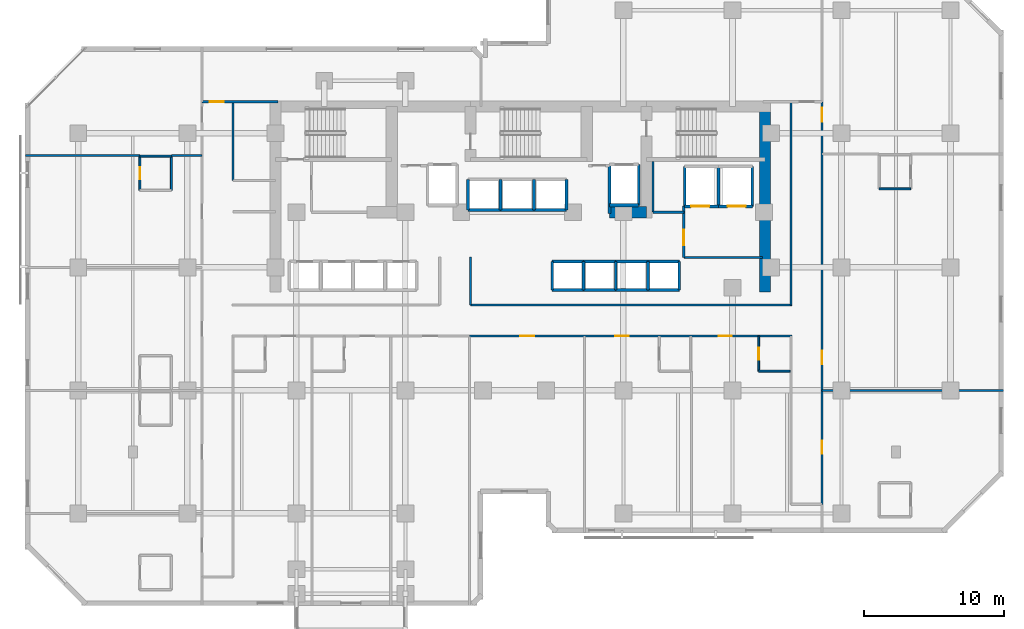
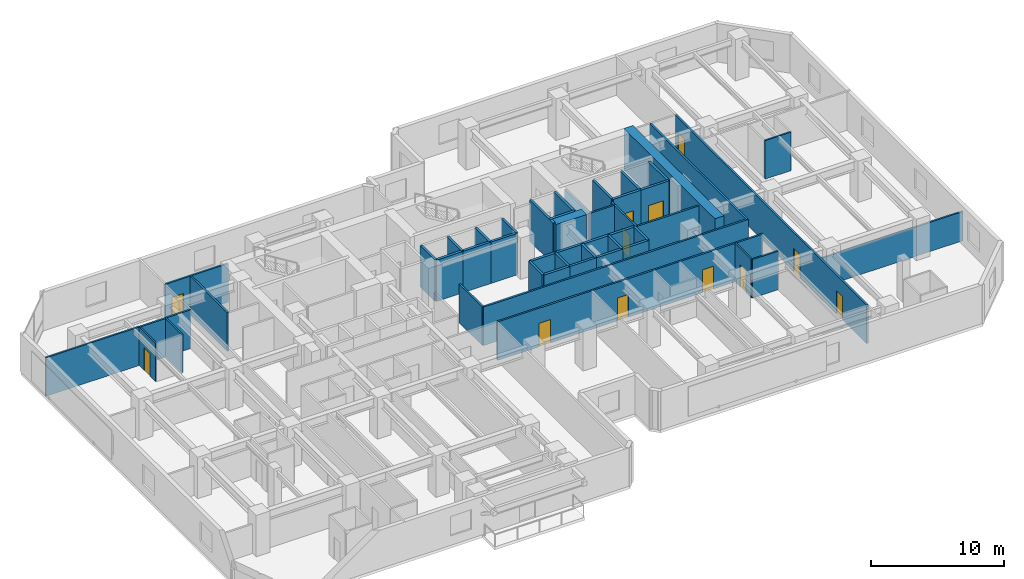
# One storey, part 8 of 12: 50 walls, 12 doors, 12 openings.
"""IFC4 building model written with IfcOpenShell, lengths in metres."""

from ifc_helpers import new_model, si_unit, direction, frame, frame_2d, origin, place, context, subcontext, project, spatial, rectangle, extrude, material, layer, layer_set, type_object, element, fill, save


model = new_model("IFC4")

# Units and contexts
model_context = context("Model", 3, precision=1e-05, world=origin(), true_north=direction((0.0, 1.0)))
body_context = subcontext(model_context, "Body", "Model", "MODEL_VIEW")
ifc_project = project(units=[si_unit("LENGTHUNIT", "METRE"), si_unit("AREAUNIT", "SQUARE_METRE"), si_unit("VOLUMEUNIT", "CUBIC_METRE"), si_unit("PLANEANGLEUNIT", "RADIAN"), si_unit("MASSUNIT", "GRAM", prefix="KILO")], contexts=[model_context])

# Site, building, storey
site_placement = place(None, origin())
site = spatial("IfcSite", under=ifc_project, at=site_placement, CompositionType="ELEMENT")
building_placement = place(site_placement, origin())
building = spatial("IfcBuilding", under=site, at=building_placement, Name="Kestravale Grand Hotel", CompositionType="ELEMENT")
storey_placement = place(building_placement, frame((0.0, 0.0, 95.60009765625)))
storey = spatial("IfcBuildingStorey", under=building, at=storey_placement, Name="L23", CompositionType="ELEMENT", Elevation=95.60009765625)

# Walls
ifc_material_1 = material(Name="Concrete f'c 60 MPa", Category="concrete")
ifc_layer_1 = layer(ifc_material_1, 0.800048828125)
ifc_layer_set_1 = layer_set([ifc_layer_1], Name="EW-CORE-800")
wall_type_1 = type_object("IfcWallType", Name="EW-CORE-800", PredefinedType="SHEAR", material=ifc_layer_set_1)
wall_1_placement = place(storey_placement, frame((56.919921875, 27.050048828125, 0.0), z_axis=(0.0, 0.0, 1.0), x_axis=(0.0, 1.0, 0.0)))
element("IfcWall", 1, at=wall_1_placement, inside=storey, type_object=wall_type_1, Name="L23 core shear wall E1", PredefinedType="SHEAR", context=body_context, shape_type="SweptSolid", body=[
    extrude(rectangle(XDim=13.669921875, YDim=0.800048828125, at=frame_2d((6.8349609375, 0.0))), origin(), (0.0, 0.0, 1.0), 3.7998046875),
])
wall_2_placement = place(storey_placement, frame((45.81005859375, 32.75, 0.0), z_axis=(0.0, 0.0, 1.0), x_axis=(1.0, 0.0, 0.0)))
element("IfcWall", 2, at=wall_2_placement, inside=storey, type_object=wall_type_1, Name="L23 core shear wall S2", PredefinedType="SHEAR", context=body_context, shape_type="SweptSolid", body=[
    extrude(rectangle(XDim=2.639892578125, YDim=0.800048828125, at=frame_2d((1.31982421875, 0.0))), origin(), (0.0, 0.0, 1.0), 3.7998046875),
])

# Wall, opening, door
ifc_material_2 = material(Name="Acoustic fire-rated gypsum board partition", Category="other")
ifc_layer_2 = layer(ifc_material_2, 0.159912109375)
ifc_layer_set_2 = layer_set([ifc_layer_2], Name="IW-CORR-160")
wall_type_2 = type_object("IfcWallType", Name="IW-CORR-160", PredefinedType="PARTITIONING", material=ifc_layer_set_2)
wall_3_placement = place(storey_placement, frame((51.1201171875, 29.5, 0.0), z_axis=(0.0, 0.0, 1.0), x_axis=(0.0, 1.0, 0.0)))
wall_3 = element("IfcWall", 3, at=wall_3_placement, inside=storey, type_object=wall_type_2, Name="W-L23-SVCLOB-W", PredefinedType="PARTITIONING", context=body_context, shape_type="SweptSolid", body=[
    extrude(rectangle(XDim=3.699951171875, YDim=0.159912109375, at=frame_2d((1.85009765625, 0.0))), origin(), (0.0, 0.0, 1.0), 3.539794921875),
])
opening_1_placement = place(wall_3_placement, frame((0.89990234375, 0.0, 0.0)))
opening_1 = element("IfcOpeningElement", 4, at=opening_1_placement, cuts=wall_3, Name="Opening D-CORR-1100", PredefinedType="OPENING", context=body_context, shape_type="SweptSolid", body=[
    extrude(rectangle(XDim=1.10009765625, YDim=2.14990234375, at=frame_2d((0.550048828125, 1.074951171875))), frame((0.0, 0.08984375, 0.0), z_axis=(0.0, -1.0, 0.0), x_axis=(1.0, 0.0, 0.0)), (0.0, 0.0, 1.0), 0.179931640625),
])
ifc_material_3 = material(Name="Single-leaf service vestibule fire door", Category="steel")
door_type_1 = type_object("IfcDoorType", Name="D-CORR-1100", OperationType="NOTDEFINED", PredefinedType="DOOR", material=ifc_material_3)
door_1_placement = place(opening_1_placement, origin())
door_1 = element("IfcDoor", 5, at=door_1_placement, inside=storey, type_object=door_type_1, Name="L23 service lift lobby door", OperationType="SINGLE_SWING_LEFT", OverallHeight=2.14990234375, OverallWidth=1.10009765625, PredefinedType="DOOR", context=body_context, shape_type="SweptSolid", body=[
    extrude(rectangle(XDim=1.10009765625, YDim=2.14990234375, at=frame_2d((0.550048828125, 1.074951171875))), frame((0.0, 0.02490234375, 0.0), z_axis=(0.0, -1.0, 0.0), x_axis=(1.0, 0.0, 0.0)), (0.0, 0.0, 1.0), 0.050048828125),
])
fill(opening_1, door_1)

# Walls
wall_4_placement = place(storey_placement, frame((51.1201171875, 29.5, 0.0), z_axis=(0.0, 0.0, 1.0), x_axis=(1.0, 0.0, 0.0)))
element("IfcWall", 6, at=wall_4_placement, inside=storey, type_object=wall_type_2, Name="L23 service lift lobby wall", PredefinedType="PARTITIONING", context=body_context, shape_type="SweptSolid", body=[
    extrude(rectangle(XDim=5.6298828125, YDim=0.159912109375, at=frame_2d((2.81494140625, 0.0))), origin(), (0.0, 0.0, 1.0), 3.539794921875),
])
wall_5_placement = place(storey_placement, frame((48.919921875, 32.75, 0.0), z_axis=(0.0, 0.0, 1.0), x_axis=(1.0, 0.0, 0.0)))
element("IfcWall", 7, at=wall_5_placement, inside=storey, type_object=wall_type_2, Name="W-L23-CES", PredefinedType="PARTITIONING", context=body_context, shape_type="SweptSolid", body=[
    extrude(rectangle(XDim=2.2001953125, YDim=0.159912109375, at=frame_2d((1.10009765625, 0.0))), origin(), (0.0, 0.0, 1.0), 3.539794921875),
])
wall_6_placement = place(storey_placement, frame((35.85009765625, 26.110107421875, 0.0), z_axis=(0.0, 0.0, 1.0), x_axis=(1.0, 0.0, 0.0)))
element("IfcWall", 8, at=wall_6_placement, inside=storey, type_object=wall_type_2, Name="W-L23-CE-N", PredefinedType="PARTITIONING", context=body_context, shape_type="SweptSolid", body=[
    extrude(rectangle(XDim=23.0, YDim=0.159912109375, at=frame_2d((11.5, 0.0))), origin(), (0.0, 0.0, 1.0), 3.539794921875),
])
wall_7_placement = place(storey_placement, frame((35.85009765625, 26.110107421875, 0.0), z_axis=(0.0, 0.0, 1.0), x_axis=(0.0, 1.0, 0.0)))
element("IfcWall", 9, at=wall_7_placement, inside=storey, type_object=wall_type_2, Name="W-L23-TRUNK-E", PredefinedType="PARTITIONING", context=body_context, shape_type="SweptSolid", body=[
    extrude(rectangle(XDim=3.43994140625, YDim=0.159912109375, at=frame_2d((1.719970703125, 0.0))), origin(), (0.0, 0.0, 1.0), 3.539794921875),
])

# Wall, openings, doors
wall_8_placement = place(storey_placement, frame((35.800048828125, 23.889892578125, 0.0), z_axis=(0.0, 0.0, 1.0), x_axis=(1.0, 0.0, 0.0)))
wall_8 = element("IfcWall", 10, at=wall_8_placement, inside=storey, type_object=wall_type_2, Name="W-L23-CE-S", PredefinedType="PARTITIONING", context=body_context, shape_type="SweptSolid", body=[
    extrude(rectangle(XDim=23.050048828125, YDim=0.159912109375, at=frame_2d((11.52490234375, 0.0))), origin(), (0.0, 0.0, 1.0), 3.539794921875),
])
opening_2_placement = place(wall_8_placement, frame((3.606689453125, 0.0, 0.0)))
opening_2 = element("IfcOpeningElement", 11, at=opening_2_placement, cuts=wall_8, Name="Opening D-GUEST-1000", PredefinedType="OPENING", context=body_context, shape_type="SweptSolid", body=[
    extrude(rectangle(XDim=1.0, YDim=2.14990234375, at=frame_2d((0.5, 1.074951171875))), frame((0.0, 0.08984375, 0.0), z_axis=(0.0, -1.0, 0.0), x_axis=(1.0, 0.0, 0.0)), (0.0, 0.0, 1.0), 0.179931640625),
])
opening_3_placement = place(wall_8_placement, frame((10.4150390625, 0.0, 0.0)))
opening_3 = element("IfcOpeningElement", 12, at=opening_3_placement, cuts=wall_8, Name="Opening D-GUEST-950", PredefinedType="OPENING", context=body_context, shape_type="SweptSolid", body=[
    extrude(rectangle(XDim=0.949951171875, YDim=2.10009765625, at=frame_2d((0.47509765625, 1.050048828125))), frame((0.0, 0.08984375, 0.0), z_axis=(0.0, -1.0, 0.0), x_axis=(1.0, 0.0, 0.0)), (0.0, 0.0, 1.0), 0.179931640625),
])
opening_4_placement = place(wall_8_placement, frame((17.803466796875, 0.0, 0.0)))
opening_4 = element("IfcOpeningElement", 13, at=opening_4_placement, cuts=wall_8, Name="Opening D-GUEST-950", PredefinedType="OPENING", context=body_context, shape_type="SweptSolid", body=[
    extrude(rectangle(XDim=0.949951171875, YDim=2.10009765625, at=frame_2d((0.47509765625, 1.050048828125))), frame((0.0, 0.08984375, 0.0), z_axis=(0.0, -1.0, 0.0), x_axis=(1.0, 0.0, 0.0)), (0.0, 0.0, 1.0), 0.179931640625),
])
ifc_material_4 = material(Name="Accessible walnut veneer hotel entrance fire door", Category="wood")
door_type_2 = type_object("IfcDoorType", Name="D-GUEST-1000", OperationType="NOTDEFINED", PredefinedType="DOOR", material=ifc_material_4)
door_2_placement = place(opening_2_placement, origin())
door_2 = element("IfcDoor", 14, at=door_2_placement, inside=storey, type_object=door_type_2, Name="D-L23-AME", OperationType="SINGLE_SWING_LEFT", OverallHeight=2.14990234375, OverallWidth=1.0, PredefinedType="DOOR", context=body_context, shape_type="SweptSolid", body=[
    extrude(rectangle(XDim=1.0, YDim=2.14990234375, at=frame_2d((0.5, 1.074951171875))), frame((0.0, 0.02490234375, 0.0), z_axis=(0.0, -1.0, 0.0), x_axis=(1.0, 0.0, 0.0)), (0.0, 0.0, 1.0), 0.050048828125),
])
fill(opening_2, door_2)
ifc_material_5 = material(Name="Walnut veneer hotel guestroom entrance fire door", Category="wood")
door_type_3 = type_object("IfcDoorType", Name="D-GUEST-950", OperationType="NOTDEFINED", PredefinedType="DOOR", material=ifc_material_5)
door_3_placement = place(opening_3_placement, origin())
door_3 = element("IfcDoor", 15, at=door_3_placement, inside=storey, type_object=door_type_3, Name="D-L23-U03-ENT", OperationType="SINGLE_SWING_LEFT", OverallHeight=2.10009765625, OverallWidth=0.949951171875, PredefinedType="DOOR", context=body_context, shape_type="SweptSolid", body=[
    extrude(rectangle(XDim=0.949951171875, YDim=2.10009765625, at=frame_2d((0.47509765625, 1.050048828125))), frame((0.0, 0.02490234375, 0.0), z_axis=(0.0, -1.0, 0.0), x_axis=(1.0, 0.0, 0.0)), (0.0, 0.0, 1.0), 0.050048828125),
])
fill(opening_3, door_3)
door_4_placement = place(opening_4_placement, origin())
door_4 = element("IfcDoor", 16, at=door_4_placement, inside=storey, type_object=door_type_3, Name="D-L23-U04-ENT", OperationType="SINGLE_SWING_LEFT", OverallHeight=2.10009765625, OverallWidth=0.949951171875, PredefinedType="DOOR", context=body_context, shape_type="SweptSolid", body=[
    extrude(rectangle(XDim=0.949951171875, YDim=2.10009765625, at=frame_2d((0.47509765625, 1.050048828125))), frame((0.0, 0.02490234375, 0.0), z_axis=(0.0, -1.0, 0.0), x_axis=(1.0, 0.0, 0.0)), (0.0, 0.0, 1.0), 0.050048828125),
])
fill(opening_4, door_4)

# Wall
wall_9_placement = place(storey_placement, frame((18.860107421875, 35.02001953125, 0.0), z_axis=(0.0, 0.0, 1.0), x_axis=(0.0, 1.0, 0.0)))
element("IfcWall", 17, at=wall_9_placement, inside=storey, type_object=wall_type_2, Name="W-L23-SW-EN", PredefinedType="PARTITIONING", context=body_context, shape_type="SweptSolid", body=[
    extrude(rectangle(XDim=5.6298828125, YDim=0.159912109375, at=frame_2d((2.81494140625, 0.0))), origin(), (0.0, 0.0, 1.0), 3.539794921875),
])

# Wall, openings, doors
wall_10_placement = place(storey_placement, frame((61.010009765625, 11.85009765625, 0.0), z_axis=(0.0, 0.0, 1.0), x_axis=(0.0, 1.0, 0.0)))
wall_10 = element("IfcWall", 18, at=wall_10_placement, inside=storey, type_object=wall_type_2, Name="W-L23-SE-E", PredefinedType="PARTITIONING", context=body_context, shape_type="SweptSolid", body=[
    extrude(rectangle(XDim=28.7998046875, YDim=0.159912109375, at=frame_2d((14.39990234375, 0.0))), origin(), (0.0, 0.0, 1.0), 3.539794921875),
])
opening_5_placement = place(wall_10_placement, frame((3.60009765625, 0.0, 0.0)))
opening_5 = element("IfcOpeningElement", 19, at=opening_5_placement, cuts=wall_10, Name="Opening D-GUEST-950", PredefinedType="OPENING", context=body_context, shape_type="SweptSolid", body=[
    extrude(rectangle(XDim=0.949951171875, YDim=2.10009765625, at=frame_2d((0.47509765625, 1.050048828125))), frame((0.0, 0.08984375, 0.0), z_axis=(0.0, -1.0, 0.0), x_axis=(1.0, 0.0, 0.0)), (0.0, 0.0, 1.0), 0.179931640625),
])
opening_6_placement = place(wall_10_placement, frame((10.01904296875, 0.0, 0.0)))
opening_6 = element("IfcOpeningElement", 20, at=opening_6_placement, cuts=wall_10, Name="Opening D-GUEST-950", PredefinedType="OPENING", context=body_context, shape_type="SweptSolid", body=[
    extrude(rectangle(XDim=0.949951171875, YDim=2.10009765625, at=frame_2d((0.47509765625, 1.050048828125))), frame((0.0, 0.08984375, 0.0), z_axis=(0.0, -1.0, 0.0), x_axis=(1.0, 0.0, 0.0)), (0.0, 0.0, 1.0), 0.179931640625),
])
opening_7_placement = place(wall_10_placement, frame((27.360107421875, 0.0, 0.0)))
opening_7 = element("IfcOpeningElement", 21, at=opening_7_placement, cuts=wall_10, Name="Opening D-GUEST-1000", PredefinedType="OPENING", context=body_context, shape_type="SweptSolid", body=[
    extrude(rectangle(XDim=1.0, YDim=2.14990234375, at=frame_2d((0.5, 1.074951171875))), frame((0.0, 0.08984375, 0.0), z_axis=(0.0, -1.0, 0.0), x_axis=(1.0, 0.0, 0.0)), (0.0, 0.0, 1.0), 0.179931640625),
])
door_5_placement = place(opening_7_placement, origin())
door_5 = element("IfcDoor", 22, at=door_5_placement, inside=storey, type_object=door_type_2, Name="D-L23-AMEW", OperationType="SINGLE_SWING_LEFT", OverallHeight=2.14990234375, OverallWidth=1.0, PredefinedType="DOOR", context=body_context, shape_type="SweptSolid", body=[
    extrude(rectangle(XDim=1.0, YDim=2.14990234375, at=frame_2d((0.5, 1.074951171875))), frame((0.0, 0.02490234375, 0.0), z_axis=(0.0, -1.0, 0.0), x_axis=(1.0, 0.0, 0.0)), (0.0, 0.0, 1.0), 0.050048828125),
])
fill(opening_7, door_5)
door_6_placement = place(opening_5_placement, origin())
door_6 = element("IfcDoor", 23, at=door_6_placement, inside=storey, type_object=door_type_3, Name="D-L23-U09-ENT", OperationType="SINGLE_SWING_RIGHT", OverallHeight=2.10009765625, OverallWidth=0.949951171875, PredefinedType="DOOR", context=body_context, shape_type="SweptSolid", body=[
    extrude(rectangle(XDim=0.949951171875, YDim=2.10009765625, at=frame_2d((0.47509765625, 1.050048828125))), frame((0.0, 0.02490234375, 0.0), z_axis=(0.0, -1.0, 0.0), x_axis=(1.0, 0.0, 0.0)), (0.0, 0.0, 1.0), 0.050048828125),
])
fill(opening_5, door_6)
door_7_placement = place(opening_6_placement, origin())
door_7 = element("IfcDoor", 24, at=door_7_placement, inside=storey, type_object=door_type_3, Name="D-L23-U10-ENT", OperationType="SINGLE_SWING_RIGHT", OverallHeight=2.10009765625, OverallWidth=0.949951171875, PredefinedType="DOOR", context=body_context, shape_type="SweptSolid", body=[
    extrude(rectangle(XDim=0.949951171875, YDim=2.10009765625, at=frame_2d((0.47509765625, 1.050048828125))), frame((0.0, 0.02490234375, 0.0), z_axis=(0.0, -1.0, 0.0), x_axis=(1.0, 0.0, 0.0)), (0.0, 0.0, 1.0), 0.050048828125),
])
fill(opening_6, door_7)

# Wall
wall_11_placement = place(storey_placement, frame((58.7900390625, 26.110107421875, 0.0), z_axis=(0.0, 0.0, 1.0), x_axis=(0.0, 1.0, 0.0)))
element("IfcWall", 25, at=wall_11_placement, inside=storey, type_object=wall_type_2, Name="W-L23-SE-WU", PredefinedType="PARTITIONING", context=body_context, shape_type="SweptSolid", body=[
    extrude(rectangle(XDim=14.539794921875, YDim=0.159912109375, at=frame_2d((7.27001953125, 0.0))), origin(), (0.0, 0.0, 1.0), 3.539794921875),
])

# Wall, opening, door
ifc_material_6 = material(Name="Moisture-resistant tile-backer plumbing chase wall", Category="other")
ifc_layer_3 = layer(ifc_material_6, 0.139892578125)
ifc_layer_set_3 = layer_set([ifc_layer_3], Name="IW-PLB-140")
wall_type_3 = type_object("IfcWallType", Name="IW-PLB-140", PredefinedType="PLUMBINGWALL", material=ifc_layer_set_3)
wall_12_placement = place(storey_placement, frame((56.47998046875, 21.3798828125, 0.0), z_axis=(0.0, 0.0, 1.0), x_axis=(0.0, 1.0, 0.0)))
wall_12 = element("IfcWall", 26, at=wall_12_placement, inside=storey, type_object=wall_type_3, Name="W-L23-U04-BW", PredefinedType="PLUMBINGWALL", context=body_context, shape_type="SweptSolid", body=[
    extrude(rectangle(XDim=2.490234375, YDim=0.139892578125, at=frame_2d((1.2451171875, 0.0))), origin(), (0.0, 0.0, 1.0), 3.539794921875),
])
opening_8_placement = place(wall_12_placement, frame((0.804931640625, 0.0, 0.0)))
opening_8 = element("IfcOpeningElement", 27, at=opening_8_placement, cuts=wall_12, Name="Opening D-BATH-880", PredefinedType="OPENING", context=body_context, shape_type="SweptSolid", body=[
    extrude(rectangle(XDim=0.8798828125, YDim=2.050048828125, at=frame_2d((0.43994140625, 1.02490234375))), frame((0.0, 0.079833984375, 0.0), z_axis=(0.0, -1.0, 0.0), x_axis=(1.0, 0.0, 0.0)), (0.0, 0.0, 1.0), 0.159912109375),
])
ifc_material_7 = material(Name="Moisture-sealed walnut en-suite bathroom door", Category="wood")
door_type_4 = type_object("IfcDoorType", Name="D-BATH-880", OperationType="NOTDEFINED", PredefinedType="DOOR", material=ifc_material_7)
door_8_placement = place(opening_8_placement, origin())
door_8 = element("IfcDoor", 28, at=door_8_placement, inside=storey, type_object=door_type_4, Name="D-L23-U04-BATH", OperationType="SINGLE_SWING_RIGHT", OverallHeight=2.050048828125, OverallWidth=0.8798828125, PredefinedType="DOOR", context=body_context, shape_type="SweptSolid", body=[
    extrude(rectangle(XDim=0.8798828125, YDim=2.050048828125, at=frame_2d((0.43994140625, 1.02490234375))), frame((0.0, 0.02490234375, 0.0), z_axis=(0.0, -1.0, 0.0), x_axis=(1.0, 0.0, 0.0)), (0.0, 0.0, 1.0), 0.050048828125),
])
fill(opening_8, door_8)

# Wall
wall_13_placement = place(storey_placement, frame((56.47998046875, 21.3798828125, 0.0), z_axis=(0.0, 0.0, 1.0), x_axis=(1.0, 0.0, 0.0)))
element("IfcWall", 29, at=wall_13_placement, inside=storey, type_object=wall_type_3, Name="W-L23-U04-BS", PredefinedType="PLUMBINGWALL", context=body_context, shape_type="SweptSolid", body=[
    extrude(rectangle(XDim=2.25, YDim=0.139892578125, at=frame_2d((1.125, 0.0))), origin(), (0.0, 0.0, 1.0), 3.539794921875),
])

# Wall, opening, door
wall_14_placement = place(storey_placement, frame((12.199951171875, 34.31005859375, 0.0), z_axis=(0.0, 0.0, 1.0), x_axis=(0.0, 1.0, 0.0)))
wall_14 = element("IfcWall", 30, at=wall_14_placement, inside=storey, type_object=wall_type_3, Name="W-L23-U08-BW", PredefinedType="PLUMBINGWALL", context=body_context, shape_type="SweptSolid", body=[
    extrude(rectangle(XDim=2.449951171875, YDim=0.139892578125, at=frame_2d((1.22509765625, 0.0))), origin(), (0.0, 0.0, 1.0), 3.539794921875),
])
opening_9_placement = place(wall_14_placement, frame((0.784912109375, 0.0, 0.0)))
opening_9 = element("IfcOpeningElement", 31, at=opening_9_placement, cuts=wall_14, Name="Opening D-BATH-880", PredefinedType="OPENING", context=body_context, shape_type="SweptSolid", body=[
    extrude(rectangle(XDim=0.8798828125, YDim=2.050048828125, at=frame_2d((0.43994140625, 1.02490234375))), frame((0.0, 0.079833984375, 0.0), z_axis=(0.0, -1.0, 0.0), x_axis=(1.0, 0.0, 0.0)), (0.0, 0.0, 1.0), 0.159912109375),
])
door_9_placement = place(opening_9_placement, origin())
door_9 = element("IfcDoor", 32, at=door_9_placement, inside=storey, type_object=door_type_4, Name="D-L23-U08-BATH", OperationType="SINGLE_SWING_RIGHT", OverallHeight=2.050048828125, OverallWidth=0.8798828125, PredefinedType="DOOR", context=body_context, shape_type="SweptSolid", body=[
    extrude(rectangle(XDim=0.8798828125, YDim=2.050048828125, at=frame_2d((0.43994140625, 1.02490234375))), frame((0.0, 0.02490234375, 0.0), z_axis=(0.0, -1.0, 0.0), x_axis=(1.0, 0.0, 0.0)), (0.0, 0.0, 1.0), 0.050048828125),
])
fill(opening_9, door_9)

# Walls
wall_15_placement = place(storey_placement, frame((14.449951171875, 34.31005859375, 0.0), z_axis=(0.0, 0.0, 1.0), x_axis=(0.0, 1.0, 0.0)))
element("IfcWall", 33, at=wall_15_placement, inside=storey, type_object=wall_type_3, Name="W-L23-U08-BE", PredefinedType="PLUMBINGWALL", context=body_context, shape_type="SweptSolid", body=[
    extrude(rectangle(XDim=2.449951171875, YDim=0.139892578125, at=frame_2d((1.22509765625, 0.0))), origin(), (0.0, 0.0, 1.0), 3.539794921875),
])
for number, where, z_axis, x_axis, name in (
    (34, (12.199951171875, 36.760009765625, 0.0), (0.0, 0.0, 1.0), (1.0, 0.0, 0.0), "W-L23-U08-BN"),
    (35, (65.10009765625, 34.409912109375, 0.0), (0.0, 0.0, 1.0), (1.0, 0.0, 0.0), "W-L23-U10-BS"),
):
    element("IfcWall", number, at=place(storey_placement, frame(where, z_axis=z_axis, x_axis=x_axis)), inside=storey, type_object=wall_type_3, Name=name, PredefinedType="PLUMBINGWALL", context=body_context, shape_type="SweptSolid", body=[
        extrude(rectangle(XDim=2.25, YDim=0.139892578125, at=frame_2d((1.125, 0.0))), origin(), (0.0, 0.0, 1.0), 3.539794921875),
    ])
ifc_material_8 = material(Name="Concrete f'c 45 MPa", Category="concrete")
ifc_layer_4 = layer(ifc_material_8, 0.199951171875)
ifc_layer_set_4 = layer_set([ifc_layer_4], Name="IW-SHAFT-200")
wall_type_4 = type_object("IfcWallType", Name="IW-SHAFT-200", PredefinedType="SHEAR", material=ifc_layer_set_4)
for number, where, z_axis, x_axis, name in (
    (36, (41.705078125, 27.169921875, 0.0), (0.0, 0.0, 1.0), (0.0, 1.0, 0.0), "L23 PL-M1 west shaft wall"),
    (37, (43.949951171875, 27.169921875, 0.0), (0.0, 0.0, 1.0), (0.0, 1.0, 0.0), "L23 PL-M2 west shaft wall"),
    (38, (46.25, 27.169921875, 0.0), (0.0, 0.0, 1.0), (0.0, 1.0, 0.0), "L23 PL-M3 west shaft wall"),
    (39, (48.550048828125, 27.169921875, 0.0), (0.0, 0.0, 1.0), (0.0, 1.0, 0.0), "L23 PL-M4 west shaft wall"),
    (40, (50.794921875, 27.169921875, 0.0), (0.0, 0.0, 1.0), (0.0, 1.0, 0.0), "L23 PL-M4 east shaft wall"),
):
    element("IfcWall", number, at=place(storey_placement, frame(where, z_axis=z_axis, x_axis=x_axis)), inside=storey, type_object=wall_type_4, Name=name, PredefinedType="SHEAR", context=body_context, shape_type="SweptSolid", body=[
        extrude(rectangle(XDim=2.06005859375, YDim=0.199951171875, at=frame_2d((1.030029296875, 0.0))), origin(), (0.0, 0.0, 1.0), 3.7998046875),
    ])
for number, where, z_axis, x_axis, name in (
    (41, (35.679931640625, 32.919921875, 0.0), (0.0, 0.0, 1.0), (0.0, 1.0, 0.0), "L23 PL-X1 west shaft wall"),
    (42, (38.0, 32.919921875, 0.0), (0.0, 0.0, 1.0), (0.0, 1.0, 0.0), "L23 PL-X2 west shaft wall"),
    (43, (40.39990234375, 32.919921875, 0.0), (0.0, 0.0, 1.0), (0.0, 1.0, 0.0), "L23 PL-X3 west shaft wall"),
    (44, (42.719970703125, 32.919921875, 0.0), (0.0, 0.0, 1.0), (0.0, 1.0, 0.0), "L23 PL-X3 east shaft wall"),
):
    element("IfcWall", number, at=place(storey_placement, frame(where, z_axis=z_axis, x_axis=x_axis)), inside=storey, type_object=wall_type_4, Name=name, PredefinedType="SHEAR", context=body_context, shape_type="SweptSolid", body=[
        extrude(rectangle(XDim=2.16015625, YDim=0.199951171875, at=frame_2d((1.080078125, 0.0))), origin(), (0.0, 0.0, 1.0), 3.7998046875),
    ])
for number, where, z_axis, x_axis, name in (
    (45, (51.179931640625, 33.169921875, 0.0), (0.0, 0.0, 1.0), (0.0, 1.0, 0.0), "L23 SL-1 west shaft wall"),
    (46, (53.60009765625, 33.169921875, 0.0), (0.0, 0.0, 1.0), (0.0, 1.0, 0.0), "L23 SL-2 west shaft wall"),
    (47, (56.02001953125, 33.169921875, 0.0), (0.0, 0.0, 1.0), (0.0, 1.0, 0.0), "L23 SL-2 east shaft wall"),
):
    element("IfcWall", number, at=place(storey_placement, frame(where, z_axis=z_axis, x_axis=x_axis)), inside=storey, type_object=wall_type_4, Name=name, PredefinedType="SHEAR", context=body_context, shape_type="SweptSolid", body=[
        extrude(rectangle(XDim=2.860107421875, YDim=0.199951171875, at=frame_2d((1.43017578125, 0.0))), origin(), (0.0, 0.0, 1.0), 3.7998046875),
    ])
wall_16_placement = place(storey_placement, frame((45.804931640625, 32.64990234375, 0.0), z_axis=(0.0, 0.0, 1.0), x_axis=(0.0, 1.0, 0.0)))
element("IfcWall", 48, at=wall_16_placement, inside=storey, type_object=wall_type_4, Name="L23 FL-2 west shaft wall", PredefinedType="SHEAR", context=body_context, shape_type="SweptSolid", body=[
    extrude(rectangle(XDim=3.505126953125, YDim=0.199951171875, at=frame_2d((1.75244140625, 0.0))), origin(), (0.0, 0.0, 1.0), 3.7998046875),
])
wall_17_placement = place(storey_placement, frame((47.89501953125, 33.2451171875, 0.0), z_axis=(0.0, 0.0, 1.0), x_axis=(0.0, 1.0, 0.0)))
element("IfcWall", 49, at=wall_17_placement, inside=storey, type_object=wall_type_4, Name="L23 FL-2 east shaft wall", PredefinedType="SHEAR", context=body_context, shape_type="SweptSolid", body=[
    extrude(rectangle(XDim=2.909912109375, YDim=0.199951171875, at=frame_2d((1.455078125, 0.0))), origin(), (0.0, 0.0, 1.0), 3.7998046875),
])
ifc_material_9 = material(Name="Concrete f'c 45 MPa", Category="concrete")
ifc_layer_5 = layer(ifc_material_9, 0.219970703125)
ifc_layer_set_5 = layer_set([ifc_layer_5], Name="IW-SHAFT-220")
wall_type_5 = type_object("IfcWallType", Name="IW-SHAFT-220", PredefinedType="SHEAR", material=ifc_layer_set_5)
for number, where, z_axis, x_axis, name in (
    (50, (41.705078125, 29.22998046875, 0.0), (0.0, 0.0, 1.0), (1.0, 0.0, 0.0), "L23 PL-M1 north shaft wall"),
    (51, (41.705078125, 27.169921875, 0.0), (0.0, 0.0, 1.0), (1.0, 0.0, 0.0), "L23 PL-M1 south shaft wall"),
):
    element("IfcWall", number, at=place(storey_placement, frame(where, z_axis=z_axis, x_axis=x_axis)), inside=storey, type_object=wall_type_5, Name=name, PredefinedType="SHEAR", context=body_context, shape_type="SweptSolid", body=[
        extrude(rectangle(XDim=2.244873046875, YDim=0.219970703125, at=frame_2d((1.12255859375, 0.0))), origin(), (0.0, 0.0, 1.0), 3.7998046875),
    ])
for number, where, z_axis, x_axis, name in (
    (52, (43.949951171875, 29.22998046875, 0.0), (0.0, 0.0, 1.0), (1.0, 0.0, 0.0), "L23 PL-M2 north shaft wall"),
    (53, (43.949951171875, 27.169921875, 0.0), (0.0, 0.0, 1.0), (1.0, 0.0, 0.0), "L23 PL-M2 south shaft wall"),
    (54, (46.25, 29.22998046875, 0.0), (0.0, 0.0, 1.0), (1.0, 0.0, 0.0), "L23 PL-M3 north shaft wall"),
    (55, (46.25, 27.169921875, 0.0), (0.0, 0.0, 1.0), (1.0, 0.0, 0.0), "L23 PL-M3 south shaft wall"),
):
    element("IfcWall", number, at=place(storey_placement, frame(where, z_axis=z_axis, x_axis=x_axis)), inside=storey, type_object=wall_type_5, Name=name, PredefinedType="SHEAR", context=body_context, shape_type="SweptSolid", body=[
        extrude(rectangle(XDim=2.300048828125, YDim=0.219970703125, at=frame_2d((1.14990234375, 0.0))), origin(), (0.0, 0.0, 1.0), 3.7998046875),
    ])
for number, where, z_axis, x_axis, name in (
    (56, (48.550048828125, 29.22998046875, 0.0), (0.0, 0.0, 1.0), (1.0, 0.0, 0.0), "L23 PL-M4 north shaft wall"),
    (57, (48.550048828125, 27.169921875, 0.0), (0.0, 0.0, 1.0), (1.0, 0.0, 0.0), "L23 PL-M4 south shaft wall"),
):
    element("IfcWall", number, at=place(storey_placement, frame(where, z_axis=z_axis, x_axis=x_axis)), inside=storey, type_object=wall_type_5, Name=name, PredefinedType="SHEAR", context=body_context, shape_type="SweptSolid", body=[
        extrude(rectangle(XDim=2.244873046875, YDim=0.219970703125, at=frame_2d((1.12255859375, 0.0))), origin(), (0.0, 0.0, 1.0), 3.7998046875),
    ])
wall_18_placement = place(storey_placement, frame((35.679931640625, 32.919921875, 0.0), z_axis=(0.0, 0.0, 1.0), x_axis=(1.0, 0.0, 0.0)))
element("IfcWall", 58, at=wall_18_placement, inside=storey, type_object=wall_type_5, Name="L23 PL-X1 south shaft wall", PredefinedType="SHEAR", context=body_context, shape_type="SweptSolid", body=[
    extrude(rectangle(XDim=2.320068359375, YDim=0.219970703125, at=frame_2d((1.16015625, 0.0))), origin(), (0.0, 0.0, 1.0), 3.7998046875),
])
wall_19_placement = place(storey_placement, frame((38.0, 32.919921875, 0.0), z_axis=(0.0, 0.0, 1.0), x_axis=(1.0, 0.0, 0.0)))
element("IfcWall", 59, at=wall_19_placement, inside=storey, type_object=wall_type_5, Name="L23 PL-X2 south shaft wall", PredefinedType="SHEAR", context=body_context, shape_type="SweptSolid", body=[
    extrude(rectangle(XDim=2.39990234375, YDim=0.219970703125, at=frame_2d((1.199951171875, 0.0))), origin(), (0.0, 0.0, 1.0), 3.7998046875),
])
wall_20_placement = place(storey_placement, frame((40.39990234375, 32.919921875, 0.0), z_axis=(0.0, 0.0, 1.0), x_axis=(1.0, 0.0, 0.0)))
element("IfcWall", 60, at=wall_20_placement, inside=storey, type_object=wall_type_5, Name="L23 PL-X3 south shaft wall", PredefinedType="SHEAR", context=body_context, shape_type="SweptSolid", body=[
    extrude(rectangle(XDim=2.320068359375, YDim=0.219970703125, at=frame_2d((1.16015625, 0.0))), origin(), (0.0, 0.0, 1.0), 3.7998046875),
])

# Wall, opening, door
wall_21_placement = place(storey_placement, frame((51.179931640625, 33.169921875, 0.0), z_axis=(0.0, 0.0, 1.0), x_axis=(1.0, 0.0, 0.0)))
wall_21 = element("IfcWall", 61, at=wall_21_placement, inside=storey, type_object=wall_type_5, Name="L23 SL-1 south shaft wall", PredefinedType="SHEAR", context=body_context, shape_type="SweptSolid", body=[
    extrude(rectangle(XDim=2.420166015625, YDim=0.219970703125, at=frame_2d((1.2099609375, 0.0))), origin(), (0.0, 0.0, 1.0), 3.7998046875),
])
opening_10_placement = place(wall_21_placement, frame((0.469970703125, 0.0, 0.0)))
opening_10 = element("IfcOpeningElement", 62, at=opening_10_placement, cuts=wall_21, Name="Opening LD-SVC-1300", PredefinedType="OPENING", context=body_context, shape_type="SweptSolid", body=[
    extrude(rectangle(XDim=1.300048828125, YDim=2.14990234375, at=frame_2d((0.64990234375, 1.074951171875))), frame((0.0, 0.119873046875, 0.0), z_axis=(0.0, -1.0, 0.0), x_axis=(1.0, 0.0, 0.0)), (0.0, 0.0, 1.0), 0.239990234375),
])
ifc_material_10 = material(Name="Heavy-duty service sliding elevator landing door", Category="steel")
door_type_5 = type_object("IfcDoorType", Name="LD-SVC-1300", OperationType="NOTDEFINED", PredefinedType="DOOR", material=ifc_material_10)
door_10_placement = place(opening_10_placement, origin())
door_10 = element("IfcDoor", 63, at=door_10_placement, inside=storey, type_object=door_type_5, Name="L23 SL-1 elevator landing sliding door", OperationType="DOUBLE_DOOR_SLIDING", OverallHeight=2.14990234375, OverallWidth=1.300048828125, PredefinedType="DOOR", context=body_context, shape_type="SweptSolid", body=[
    extrude(rectangle(XDim=1.300048828125, YDim=2.14990234375, at=frame_2d((0.64990234375, 1.074951171875))), frame((0.0, 0.02490234375, 0.0), z_axis=(0.0, -1.0, 0.0), x_axis=(1.0, 0.0, 0.0)), (0.0, 0.0, 1.0), 0.050048828125),
])
fill(opening_10, door_10)

wall_22_placement = place(storey_placement, frame((53.60009765625, 33.169921875, 0.0), z_axis=(0.0, 0.0, 1.0), x_axis=(1.0, 0.0, 0.0)))
wall_22 = element("IfcWall", 64, at=wall_22_placement, inside=storey, type_object=wall_type_5, Name="L23 SL-2 south shaft wall", PredefinedType="SHEAR", context=body_context, shape_type="SweptSolid", body=[
    extrude(rectangle(XDim=2.419921875, YDim=0.219970703125, at=frame_2d((1.2099609375, 0.0))), origin(), (0.0, 0.0, 1.0), 3.7998046875),
])
opening_11_placement = place(wall_22_placement, frame((0.64990234375, 0.0, 0.0)))
opening_11 = element("IfcOpeningElement", 65, at=opening_11_placement, cuts=wall_22, Name="Opening LD-SVC-1300", PredefinedType="OPENING", context=body_context, shape_type="SweptSolid", body=[
    extrude(rectangle(XDim=1.300048828125, YDim=2.14990234375, at=frame_2d((0.64990234375, 1.074951171875))), frame((0.0, 0.119873046875, 0.0), z_axis=(0.0, -1.0, 0.0), x_axis=(1.0, 0.0, 0.0)), (0.0, 0.0, 1.0), 0.239990234375),
])
door_11_placement = place(opening_11_placement, origin())
door_11 = element("IfcDoor", 66, at=door_11_placement, inside=storey, type_object=door_type_5, Name="L23 SL-2 elevator landing sliding door", OperationType="DOUBLE_DOOR_SLIDING", OverallHeight=2.14990234375, OverallWidth=1.300048828125, PredefinedType="DOOR", context=body_context, shape_type="SweptSolid", body=[
    extrude(rectangle(XDim=1.300048828125, YDim=2.14990234375, at=frame_2d((0.64990234375, 1.074951171875))), frame((0.0, 0.02490234375, 0.0), z_axis=(0.0, -1.0, 0.0), x_axis=(1.0, 0.0, 0.0)), (0.0, 0.0, 1.0), 0.050048828125),
])
fill(opening_11, door_11)

# Walls
wall_23_placement = place(storey_placement, frame((45.804931640625, 33.2451171875, 0.0), z_axis=(0.0, 0.0, 1.0), x_axis=(1.0, 0.0, 0.0)))
element("IfcWall", 67, at=wall_23_placement, inside=storey, type_object=wall_type_5, Name="L23 FL-2 south shaft wall", PredefinedType="SHEAR", context=body_context, shape_type="SweptSolid", body=[
    extrude(rectangle(XDim=2.090087890625, YDim=0.219970703125, at=frame_2d((1.044921875, 0.0))), origin(), (0.0, 0.0, 1.0), 3.7998046875),
])
ifc_material_11 = material(Name="Double-stud STC 52 acoustic demising partition", Category="other")
ifc_layer_6 = layer(ifc_material_11, 0.14990234375)
ifc_layer_set_6 = layer_set([ifc_layer_6], Name="IW-UNIT-150")
wall_type_6 = type_object("IfcWallType", Name="IW-UNIT-150", PredefinedType="PARTITIONING", material=ifc_layer_set_6)
wall_24_placement = place(storey_placement, frame((48.919921875, 32.75, 0.0), z_axis=(0.0, 0.0, 1.0), x_axis=(0.0, 1.0, 0.0)))
element("IfcWall", 68, at=wall_24_placement, inside=storey, type_object=wall_type_6, Name="W-L23-CEW", PredefinedType="PARTITIONING", context=body_context, shape_type="SweptSolid", body=[
    extrude(rectangle(XDim=3.6201171875, YDim=0.14990234375, at=frame_2d((1.81005859375, 0.0))), origin(), (0.0, 0.0, 1.0), 3.539794921875),
])

# Wall, opening, door
wall_25_placement = place(storey_placement, frame((16.639892578125, 40.64990234375, 0.0), z_axis=(0.0, 0.0, 1.0), x_axis=(1.0, 0.0, 0.0)))
wall_25 = element("IfcWall", 69, at=wall_25_placement, inside=storey, type_object=wall_type_6, Name="W-L23-SW-N", PredefinedType="PARTITIONING", context=body_context, shape_type="SweptSolid", body=[
    extrude(rectangle(XDim=5.460205078125, YDim=0.14990234375, at=frame_2d((2.72998046875, 0.0))), origin(), (0.0, 0.0, 1.0), 3.539794921875),
])
opening_12_placement = place(wall_25_placement, frame((0.550048828125, 0.0, 0.0)))
opening_12 = element("IfcOpeningElement", 70, at=opening_12_placement, cuts=wall_25, Name="Opening D-GUEST-1000", PredefinedType="OPENING", context=body_context, shape_type="SweptSolid", body=[
    extrude(rectangle(XDim=1.0, YDim=2.14990234375, at=frame_2d((0.5, 1.074951171875))), frame((0.0, 0.0849609375, 0.0), z_axis=(0.0, -1.0, 0.0), x_axis=(1.0, 0.0, 0.0)), (0.0, 0.0, 1.0), 0.169921875),
])
door_12_placement = place(opening_12_placement, origin())
door_12 = element("IfcDoor", 71, at=door_12_placement, inside=storey, type_object=door_type_2, Name="L23 NW Gallery Door", OperationType="SINGLE_SWING_RIGHT", OverallHeight=2.14990234375, OverallWidth=1.0, PredefinedType="DOOR", context=body_context, shape_type="SweptSolid", body=[
    extrude(rectangle(XDim=1.0, YDim=2.14990234375, at=frame_2d((0.5, 1.074951171875))), frame((0.0, 0.02490234375, 0.0), z_axis=(0.0, -1.0, 0.0), x_axis=(1.0, 0.0, 0.0)), (0.0, 0.0, 1.0), 0.050048828125),
])
fill(opening_12, door_12)

# Walls
wall_26_placement = place(storey_placement, frame((4.02001953125, 36.800048828125, 0.0), z_axis=(0.0, 0.0, 1.0), x_axis=(1.0, 0.0, 0.0)))
element("IfcWall", 72, at=wall_26_placement, inside=storey, type_object=wall_type_6, Name="W-L23-WW-4", PredefinedType="PARTITIONING", context=body_context, shape_type="SweptSolid", body=[
    extrude(rectangle(XDim=8.179931640625, YDim=0.14990234375, at=frame_2d((4.08984375, 0.0))), origin(), (0.0, 0.0, 1.0), 3.539794921875),
])
wall_27_placement = place(storey_placement, frame((14.449951171875, 36.800048828125, 0.0), z_axis=(0.0, 0.0, 1.0), x_axis=(1.0, 0.0, 0.0)))
element("IfcWall", 73, at=wall_27_placement, inside=storey, type_object=wall_type_6, Name="W-L23-WW-4", PredefinedType="PARTITIONING", context=body_context, shape_type="SweptSolid", body=[
    extrude(rectangle(XDim=2.18994140625, YDim=0.14990234375, at=frame_2d((1.094970703125, 0.0))), origin(), (0.0, 0.0, 1.0), 3.539794921875),
])
wall_28_placement = place(storey_placement, frame((61.010009765625, 20.0, 0.0), z_axis=(0.0, 0.0, 1.0), x_axis=(1.0, 0.0, 0.0)))
element("IfcWall", 74, at=wall_28_placement, inside=storey, type_object=wall_type_6, Name="W-L23-EW-1", PredefinedType="PARTITIONING", context=body_context, shape_type="SweptSolid", body=[
    extrude(rectangle(XDim=12.969970703125, YDim=0.14990234375, at=frame_2d((6.48486328125, 0.0))), origin(), (0.0, 0.0, 1.0), 2.678955078125),
])

save(model, "model.ifc")
